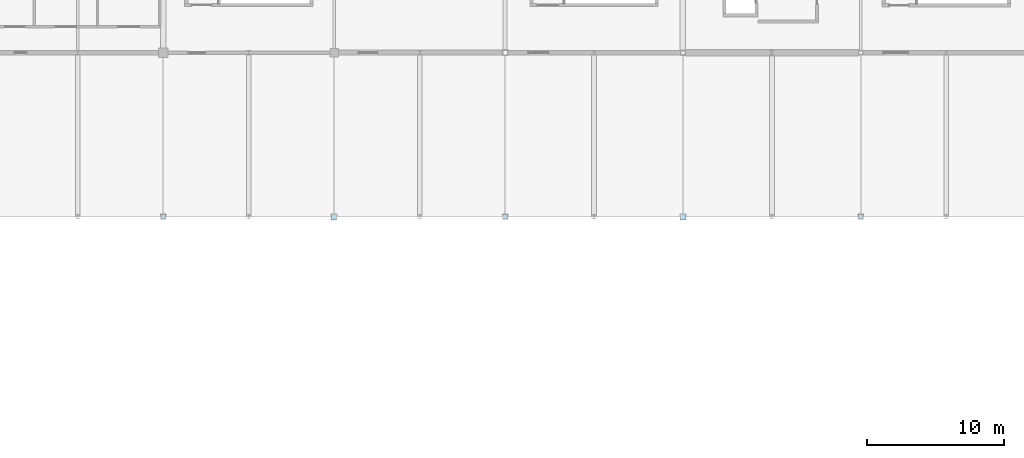
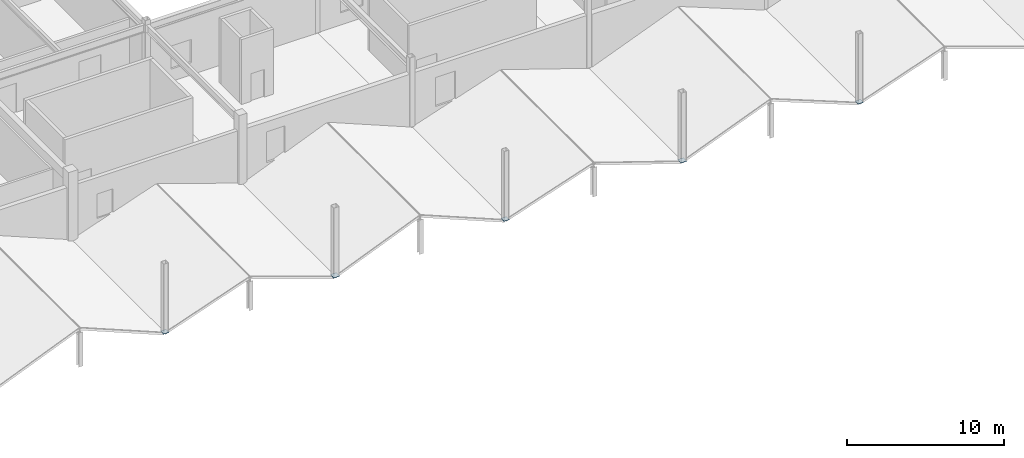
# One storey, part 55 of 76: 5 plates.
"""IFC4 building model written with IfcOpenShell, lengths in metres."""

from ifc_helpers import new_model, si_unit, direction, frame, origin, origin_2d, place, context, subcontext, project, spatial, rectangle, extrude, material, layer, layer_set, type_object, element, save


model = new_model("IFC4")

# Units and contexts
model_context = context("Model", 3, precision=1e-05, world=origin(), true_north=direction((0.0, 1.0)))
body_context = subcontext(model_context, "Body", "Model", "MODEL_VIEW")
ifc_project = project(units=[si_unit("LENGTHUNIT", "METRE"), si_unit("AREAUNIT", "SQUARE_METRE"), si_unit("VOLUMEUNIT", "CUBIC_METRE"), si_unit("PLANEANGLEUNIT", "RADIAN"), si_unit("MASSUNIT", "GRAM", prefix="KILO")], contexts=[model_context])

# Site, building, storey
site_placement = place(None, origin())
site = spatial("IfcSite", under=ifc_project, at=site_placement, CompositionType="ELEMENT")
building_placement = place(site_placement, origin())
building = spatial("IfcBuilding", under=site, at=building_placement, Name="Kazenohara Klinker Stadium", CompositionType="ELEMENT")
storey_placement = place(building_placement, frame((0.0, 0.0, 25.800048828125)))
storey = spatial("IfcBuildingStorey", under=building, at=storey_placement, Name="L05", CompositionType="ELEMENT", Elevation=25.800048828125)

# Plates
ifc_material = material(Name="Steel S355", Category="steel")
ifc_layer_1 = layer(ifc_material, 0.02197265625)
ifc_layer_set_1 = layer_set([ifc_layer_1], Name="Steel S355")
plate_type_1 = type_object("IfcPlateType", Name="PLT-GP02", PredefinedType="USERDEFINED", material=ifc_layer_set_1)
plate_1_placement = place(storey_placement, frame((86.5, 132.0, -0.010986328125), z_axis=(0.0, 0.0, 1.0), x_axis=(1.0, 0.0, 0.0)))
element("IfcPlate", 1, at=plate_1_placement, inside=storey, type_object=plate_type_1, Name="Hollow column end-cap plate GP02 L05 8/M", ObjectType="GUSSET PLATE", PredefinedType="USERDEFINED", context=body_context, shape_type="SweptSolid", body=[
    extrude(rectangle(XDim=0.43994140625, YDim=0.43994140625, at=origin_2d()), origin(), (0.0, 0.0, 1.0), 0.02197265625),
])
for number, where, z_axis, x_axis, name in (
    (2, (99.0, 132.0, -0.010986328125), (0.0, 0.0, 1.0), (1.0, 0.0, 0.0), "Hollow column end-cap plate GP02 L05 9/M"),
    (3, (125.0, 132.0, -0.010986328125), (0.0, 0.0, 1.0), (1.0, 0.0, 0.0), "Hollow column end-cap plate GP02 L05 11/M"),
):
    element("IfcPlate", number, at=place(storey_placement, frame(where, z_axis=z_axis, x_axis=x_axis)), inside=storey, type_object=plate_type_1, Name=name, ObjectType="GUSSET PLATE", PredefinedType="USERDEFINED", context=body_context, shape_type="SweptSolid", body=[
        extrude(rectangle(XDim=0.389892578125, YDim=0.389892578125, at=origin_2d()), origin(), (0.0, 0.0, 1.0), 0.02197265625),
    ])
ifc_layer_2 = layer(ifc_material, 0.02490234375)
ifc_layer_set_2 = layer_set([ifc_layer_2], Name="Steel S355")
plate_type_2 = type_object("IfcPlateType", Name="PLT-GP04", PredefinedType="USERDEFINED", material=ifc_layer_set_2)
plate_2_placement = place(storey_placement, frame((74.0, 132.0, -0.012451171875), z_axis=(0.0, 0.0, 1.0), x_axis=(1.0, 0.0, 0.0)))
element("IfcPlate", 4, at=plate_2_placement, inside=storey, type_object=plate_type_2, Name="Hollow column end-cap plate GP04 L05 7/M", ObjectType="GUSSET PLATE", PredefinedType="USERDEFINED", context=body_context, shape_type="SweptSolid", body=[
    extrude(rectangle(XDim=0.389892578125, YDim=0.389892578125, at=origin_2d()), origin(), (0.0, 0.0, 1.0), 0.02490234375),
])
plate_3_placement = place(storey_placement, frame((112.0, 132.0, -0.012451171875), z_axis=(0.0, 0.0, 1.0), x_axis=(1.0, 0.0, 0.0)))
element("IfcPlate", 5, at=plate_3_placement, inside=storey, type_object=plate_type_2, Name="Hollow column end-cap plate GP04 L05 10/M", ObjectType="GUSSET PLATE", PredefinedType="USERDEFINED", context=body_context, shape_type="SweptSolid", body=[
    extrude(rectangle(XDim=0.43994140625, YDim=0.43994140625, at=origin_2d()), origin(), (0.0, 0.0, 1.0), 0.02490234375),
])

save(model, "model.ifc")
